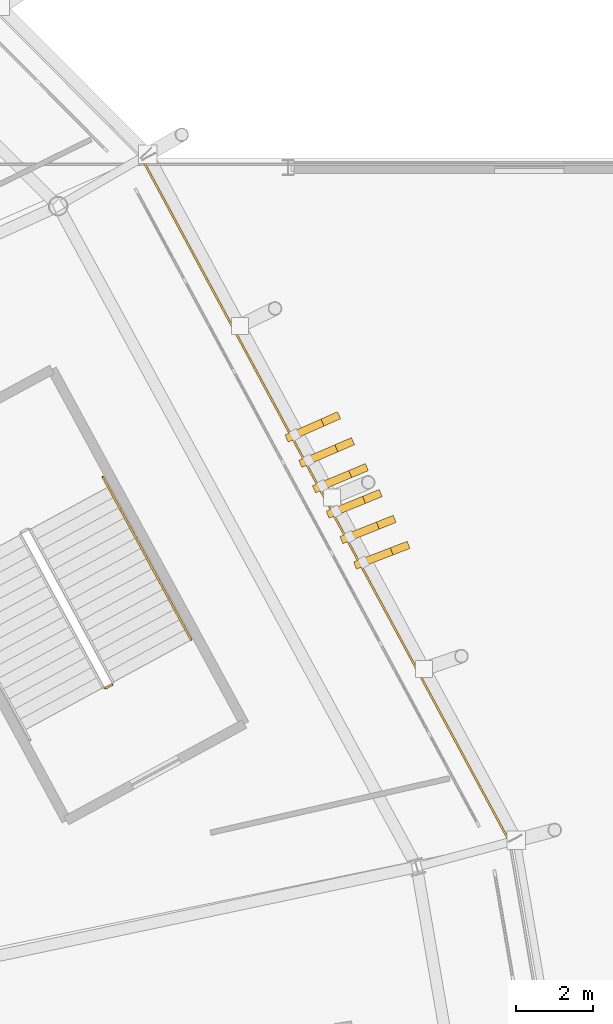
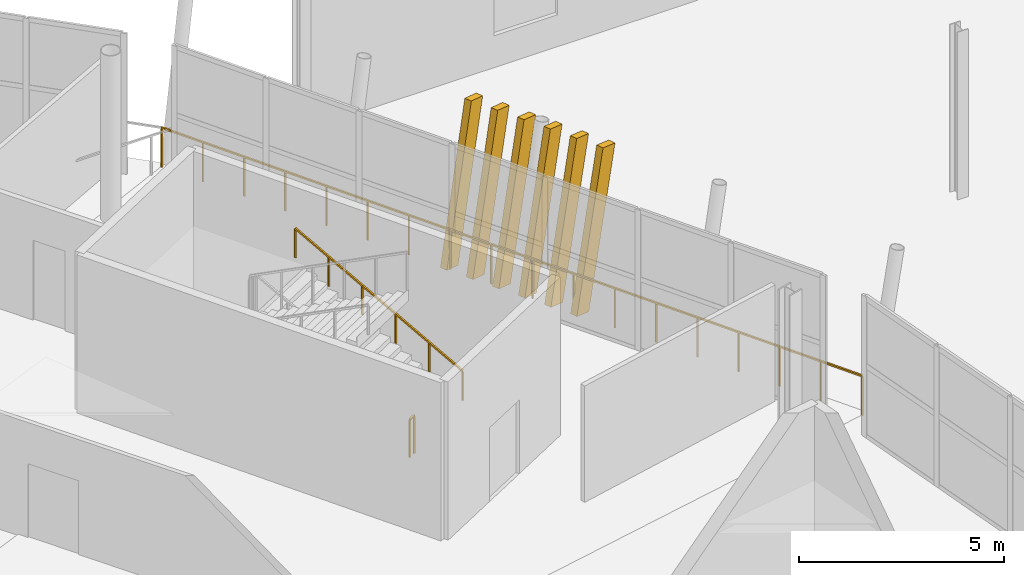
# One storey, part 170 of 179: 6 shading devices, 3 railings.
"""IFC4 building model written with IfcOpenShell, lengths in metres."""

from ifc_helpers import new_model, si_unit, direction, frame, origin, origin_2d, place, context, subcontext, project, spatial, rectangle, extrude, material, material_profile, profile_set, type_object, element, save


model = new_model("IFC4")

# Units and contexts
model_context = context("Model", 3, precision=1e-05, world=origin(), true_north=direction((0.0, 1.0)))
body_context = subcontext(model_context, "Body", "Model", "MODEL_VIEW")
ifc_project = project(units=[si_unit("LENGTHUNIT", "METRE"), si_unit("AREAUNIT", "SQUARE_METRE"), si_unit("VOLUMEUNIT", "CUBIC_METRE"), si_unit("PLANEANGLEUNIT", "RADIAN"), si_unit("MASSUNIT", "GRAM", prefix="KILO")], contexts=[model_context])

# Site, building, storey
site_placement = place(None, origin())
site = spatial("IfcSite", under=ifc_project, at=site_placement, CompositionType="ELEMENT")
building_placement = place(site_placement, origin())
building = spatial("IfcBuilding", under=site, at=building_placement, Name="Zlatoyarsky Gate Stadium", CompositionType="ELEMENT")
storey_placement = place(building_placement, frame((0.0, 0.0, 10.60009765625)))
storey = spatial("IfcBuildingStorey", under=building, at=storey_placement, Name="L02", CompositionType="ELEMENT", Elevation=10.60009765625)

# Railings
ifc_material_1 = material(Name="Powder-coated steel tubular guardrail", Category="steel")
railing_type_1 = type_object("IfcRailingType", Name="CONCOURSE SLAB EDGE GUARDRAIL 1200", PredefinedType="GUARDRAIL", material=ifc_material_1)
railing_1_placement = place(storey_placement, frame((203.241943359375, 99.022216796875, 0.0)))
element("IfcRailing", 1, at=railing_1_placement, inside=storey, type_object=railing_type_1, Name="L02 outer slab edge guardrail 01", PredefinedType="GUARDRAIL", context=body_context, shape_type="SweptSolid", body=[
    extrude(rectangle(XDim=0.048095703125, YDim=0.048095703125, at=origin_2d()), frame((0.0, 0.0, 1.17578125), z_axis=(-0.473926234196, 0.880564548765, 0.0), x_axis=(-0.880564548765, -0.473926234196, 0.0)), (0.0, 0.0, 1.0), 20.1298828125),
    extrude(rectangle(XDim=0.0419921875, YDim=0.0419921875, at=origin_2d()), origin(), (0.0, 0.0, 1.0), 1.15185546875),
    extrude(rectangle(XDim=0.0419921875, YDim=0.0419921875, at=origin_2d()), frame((-0.561279296875, 1.042724609375, 0.0)), (0.0, 0.0, 1.0), 1.15185546875),
    extrude(rectangle(XDim=0.0419921875, YDim=0.0419921875, at=origin_2d()), frame((-1.122314453125, 2.08544921875, 0.0)), (0.0, 0.0, 1.0), 1.15185546875),
    extrude(rectangle(XDim=0.0419921875, YDim=0.0419921875, at=origin_2d()), frame((-1.68359375, 3.1279296875, 0.0)), (0.0, 0.0, 1.0), 1.15185546875),
    extrude(rectangle(XDim=0.0419921875, YDim=0.0419921875, at=origin_2d()), frame((-2.24462890625, 4.170654296875, 0.0)), (0.0, 0.0, 1.0), 1.15185546875),
    extrude(rectangle(XDim=0.0419921875, YDim=0.0419921875, at=origin_2d()), frame((-2.805908203125, 5.21337890625, 0.0)), (0.0, 0.0, 1.0), 1.15185546875),
    extrude(rectangle(XDim=0.0419921875, YDim=0.0419921875, at=origin_2d()), frame((-3.3671875, 6.256103515625, 0.0)), (0.0, 0.0, 1.0), 1.15185546875),
    extrude(rectangle(XDim=0.0419921875, YDim=0.0419921875, at=origin_2d()), frame((-3.92822265625, 7.298828125, 0.0)), (0.0, 0.0, 1.0), 1.15185546875),
    extrude(rectangle(XDim=0.0419921875, YDim=0.0419921875, at=origin_2d()), frame((-4.489501953125, 8.341552734375, 0.0)), (0.0, 0.0, 1.0), 1.15185546875),
    extrude(rectangle(XDim=0.0419921875, YDim=0.0419921875, at=origin_2d()), frame((-5.050537109375, 9.384033203125, 0.0)), (0.0, 0.0, 1.0), 1.15185546875),
    extrude(rectangle(XDim=0.0419921875, YDim=0.0419921875, at=origin_2d()), frame((-5.61181640625, 10.4267578125, 0.0)), (0.0, 0.0, 1.0), 1.15185546875),
    extrude(rectangle(XDim=0.0419921875, YDim=0.0419921875, at=origin_2d()), frame((-6.1728515625, 11.469482421875, 0.0)), (0.0, 0.0, 1.0), 1.15185546875),
    extrude(rectangle(XDim=0.0419921875, YDim=0.0419921875, at=origin_2d()), frame((-6.734130859375, 12.51220703125, 0.0)), (0.0, 0.0, 1.0), 1.15185546875),
    extrude(rectangle(XDim=0.0419921875, YDim=0.0419921875, at=origin_2d()), frame((-7.29541015625, 13.554931640625, 0.0)), (0.0, 0.0, 1.0), 1.15185546875),
    extrude(rectangle(XDim=0.0419921875, YDim=0.0419921875, at=origin_2d()), frame((-7.8564453125, 14.59765625, 0.0)), (0.0, 0.0, 1.0), 1.15185546875),
    extrude(rectangle(XDim=0.0419921875, YDim=0.0419921875, at=origin_2d()), frame((-8.417724609375, 15.64013671875, 0.0)), (0.0, 0.0, 1.0), 1.15185546875),
    extrude(rectangle(XDim=0.0419921875, YDim=0.0419921875, at=origin_2d()), frame((-8.978759765625, 16.682861328125, 0.0)), (0.0, 0.0, 1.0), 1.15185546875),
    extrude(rectangle(XDim=0.0419921875, YDim=0.0419921875, at=origin_2d()), frame((-9.5400390625, 17.7255859375, 0.0)), (0.0, 0.0, 1.0), 1.15185546875),
])
ifc_material_2 = material(Name="Powder-coated steel stair guardrail", Category="steel")
railing_type_2 = type_object("IfcRailingType", Name="PAINTED STEEL STAIR WELL GUARDRAIL 1150", PredefinedType="GUARDRAIL", material=ifc_material_2)
railing_2_placement = place(storey_placement, frame((192.94482421875, 103.098876953125, 0.0)))
element("IfcRailing", 2, at=railing_2_placement, inside=storey, type_object=railing_type_2, Name="ST-13 L02 stair guard 4", PredefinedType="GUARDRAIL", context=body_context, shape_type="SweptSolid", body=[
    extrude(rectangle(XDim=0.048095703125, YDim=0.048095703125, at=origin_2d()), frame((0.0, 0.0, 1.1259765625), z_axis=(-0.878780312785, -0.477226530971, 0.0), x_axis=(0.477226530971, -0.878780312785, 0.0)), (0.0, 0.0, 1.0), 0.199951171875),
    extrude(rectangle(XDim=0.0419921875, YDim=0.0419921875, at=origin_2d()), origin(), (0.0, 0.0, 1.0), 1.101806640625),
    extrude(rectangle(XDim=0.0419921875, YDim=0.0419921875, at=origin_2d()), frame((-0.17578125, -0.095458984375, 0.0)), (0.0, 0.0, 1.0), 1.101806640625),
])

# Shading devices
ifc_material_3 = material(Name="Precast concrete C40/50 stone-toned architectural rib", Category="masonry")
ifc_material_profile = material_profile(ifc_material_3, rectangle(XDim=0.199951171875, YDim=0.47998046875, at=origin_2d()), Name="RIB 200X480")
ifc_profile_set = profile_set([ifc_material_profile], Name="Precast concrete C40/50 stone-toned architectural rib")
shading_device_type = type_object("IfcShadingDeviceType", Name="PRECAST FLUTED GATE LOUVRE BLADE 200X480", PredefinedType="SHUTTER", material=ifc_profile_set)
for number, where, z_axis, x_axis, name in (
    (3, (199.451904296875, 106.271728515625, -0.010009765625), (0.206719752707, 0.07976512823, 0.975143306473), (-0.359991364661, 0.932955635263, 0.0), "Leaning bowl louvre fin L02-01-1"),
    (4, (199.096435546875, 106.93212890625, -0.010009765625), (0.205922910517, 0.081784608848, 0.975144621418), (-0.36911520837, 0.929383646806, 0.0), "Leaning bowl louvre fin L02-01-2"),
):
    element("IfcShadingDevice", number, at=place(storey_placement, frame(where, z_axis=z_axis, x_axis=x_axis)), inside=storey, type_object=shading_device_type, Name=name, PredefinedType="SHUTTER", context=body_context, shape_type="SweptSolid", body=[
        extrude(rectangle(XDim=0.199951171875, YDim=0.47998046875, at=origin_2d()), origin(), (0.0, 0.0, 1.0), 4.59423828125),
    ])
for number, where, z_axis, x_axis, name in (
    (5, (198.7412109375, 107.5927734375, -0.010009765625), (0.20502419839, 0.083752757041, 0.975166936356), (-0.378165632721, 0.925737951166, 0.0), "Leaning bowl louvre fin L02-01-3"),
    (6, (198.3857421875, 108.253173828125, -0.010009765625), (0.204225414002, 0.08577148535, 0.975159080651), (-0.387220248003, 0.92198724478, 0.0), "Leaning bowl louvre fin L02-01-4"),
    (7, (198.030517578125, 108.913818359375, -0.010009765625), (0.203375688997, 0.087737983416, 0.975161717558), (-0.396118875859, 0.918199235563, 0.0), "Leaning bowl louvre fin L02-01-5"),
):
    element("IfcShadingDevice", number, at=place(storey_placement, frame(where, z_axis=z_axis, x_axis=x_axis)), inside=storey, type_object=shading_device_type, Name=name, PredefinedType="SHUTTER", context=body_context, shape_type="SweptSolid", body=[
        extrude(rectangle(XDim=0.199951171875, YDim=0.47998046875, at=origin_2d()), origin(), (0.0, 0.0, 1.0), 4.593994140625),
    ])
shading_device_placement = place(storey_placement, frame((197.675048828125, 109.57421875, -0.010009765625), z_axis=(0.202575025722, 0.089755828553, 0.975144732947), x_axis=(-0.405092293285, 0.914275797515, 0.0)))
element("IfcShadingDevice", 8, at=shading_device_placement, inside=storey, type_object=shading_device_type, Name="Leaning bowl louvre fin L02-01-6", PredefinedType="SHUTTER", context=body_context, shape_type="SweptSolid", body=[
    extrude(rectangle(XDim=0.199951171875, YDim=0.47998046875, at=origin_2d()), origin(), (0.0, 0.0, 1.0), 4.59423828125),
])

# Railing
ifc_material_4 = material(Name="Brushed stainless steel 316 handrail", Category="steel")
railing_type_3 = type_object("IfcRailingType", Name="STAINLESS STEEL TUBULAR HANDRAIL 900", PredefinedType="HANDRAIL", material=ifc_material_4)
railing_3_placement = place(storey_placement, frame((194.986572265625, 104.263427734375, 0.16015625)))
element("IfcRailing", 9, at=railing_3_placement, inside=storey, type_object=railing_type_3, Name="ST-13 L02 stair handrail 1", PredefinedType="HANDRAIL", context=body_context, shape_type="SweptSolid", body=[
    extrude(rectangle(XDim=0.048095703125, YDim=0.048095703125, at=origin_2d()), frame((0.0, 0.0, 0.8759765625), z_axis=(-0.422960733392, 0.779563186192, 0.461936637151), x_axis=(-0.878962478599, -0.4768909322, 0.0)), (0.0, 0.0, 1.0), 5.412109375),
    extrude(rectangle(XDim=0.0419921875, YDim=0.0419921875, at=origin_2d()), origin(), (0.0, 0.0, 1.0), 0.851806640625),
    extrude(rectangle(XDim=0.0419921875, YDim=0.0419921875, at=origin_2d()), frame((-0.457763671875, 0.84375, 0.5)), (0.0, 0.0, 1.0), 0.851806640625),
    extrude(rectangle(XDim=0.0419921875, YDim=0.0419921875, at=origin_2d()), frame((-0.91552734375, 1.6875, 1.0)), (0.0, 0.0, 1.0), 0.851806640625),
    extrude(rectangle(XDim=0.0419921875, YDim=0.0419921875, at=origin_2d()), frame((-1.37353515625, 2.531494140625, 1.5)), (0.0, 0.0, 1.0), 0.851806640625),
    extrude(rectangle(XDim=0.0419921875, YDim=0.0419921875, at=origin_2d()), frame((-1.831298828125, 3.375244140625, 2.0)), (0.0, 0.0, 1.0), 0.851806640625),
    extrude(rectangle(XDim=0.0419921875, YDim=0.0419921875, at=origin_2d()), frame((-2.2890625, 4.218994140625, 2.5)), (0.0, 0.0, 1.0), 0.851806640625),
])

save(model, "model.ifc")
